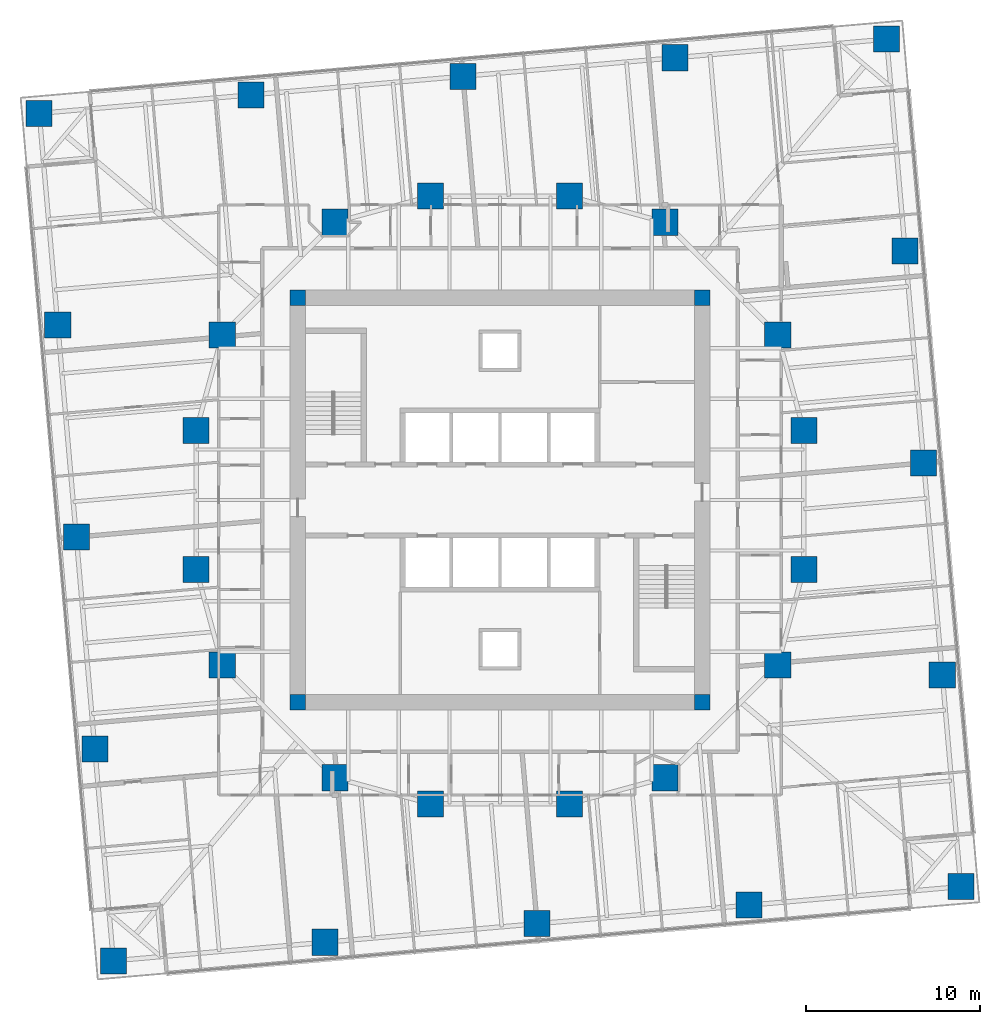
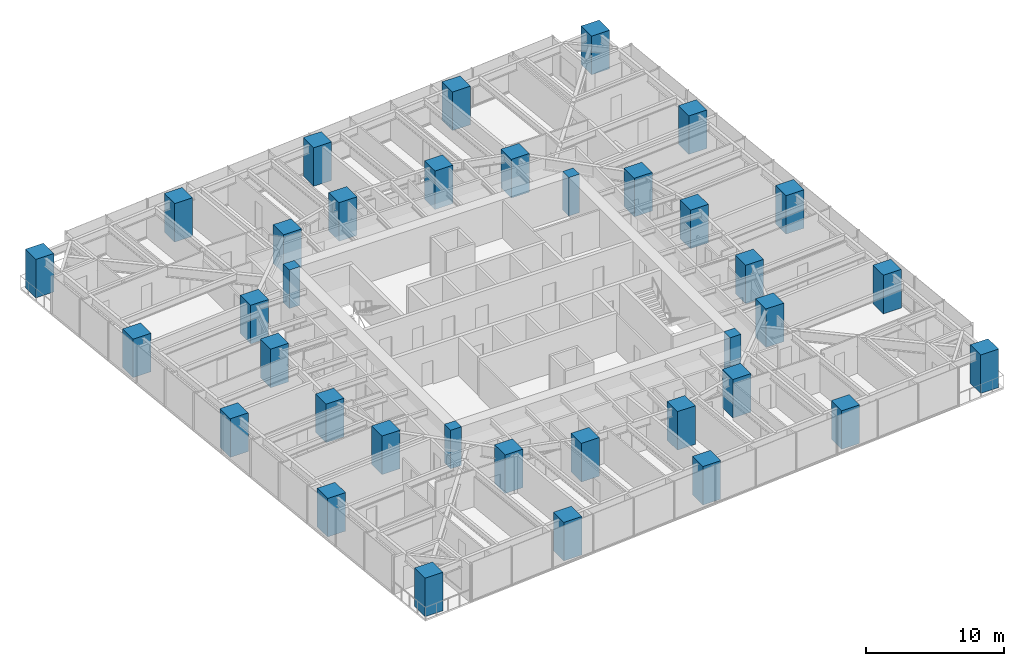
# One storey, part 1 of 14: 36 columns.
"""IFC4 building model written with IfcOpenShell, lengths in metres."""

from ifc_helpers import new_model, si_unit, direction, frame, origin, origin_2d, place, context, subcontext, project, spatial, rectangle, extrude, material, material_profile, profile_set, type_object, element, save


model = new_model("IFC4")

# Units and contexts
model_context = context("Model", 3, precision=1e-05, world=origin(), true_north=direction((0.0, 1.0)))
body_context = subcontext(model_context, "Body", "Model", "MODEL_VIEW")
ifc_project = project(units=[si_unit("LENGTHUNIT", "METRE"), si_unit("AREAUNIT", "SQUARE_METRE"), si_unit("VOLUMEUNIT", "CUBIC_METRE"), si_unit("PLANEANGLEUNIT", "RADIAN"), si_unit("MASSUNIT", "GRAM", prefix="KILO")], contexts=[model_context])

# Site, building, storey
site_placement = place(None, origin())
site = spatial("IfcSite", under=ifc_project, at=site_placement, CompositionType="ELEMENT")
building_placement = place(site_placement, origin())
building = spatial("IfcBuilding", under=site, at=building_placement, Name="Torsade Residences", CompositionType="ELEMENT")
storey_placement = place(building_placement, frame((0.0, 0.0, 57.39990234375)))
storey = spatial("IfcBuildingStorey", under=building, at=storey_placement, Name="L15", CompositionType="ELEMENT", Elevation=57.39990234375)

# Columns
ifc_material_1 = material(Name="Concrete 80 MPa", Category="concrete")
ifc_material_profile_1 = material_profile(ifc_material_1, rectangle(XDim=0.89990234375, YDim=0.89990234375, at=origin_2d()), Name="RC 900x900")
ifc_profile_set_1 = profile_set([ifc_material_profile_1], Name="Concrete 80 MPa")
column_type_1 = type_object("IfcColumnType", Name="CORE CORNER COLUMN RC 900x900", PredefinedType="COLUMN", material=ifc_profile_set_1)
for number, where, z_axis, x_axis, name in (
    (1, (28.35009765625, 18.35009765625, 0.0), (0.0, 0.0, 1.0), (1.0, 0.0, 0.0), "Core corner column CC1 L15"),
    (2, (51.64990234375, 18.35009765625, 0.0), (0.0, 0.0, 1.0), (1.0, 0.0, 0.0), "Core corner column CC2 L15"),
    (3, (51.64990234375, 41.64990234375, 0.0), (0.0, 0.0, 1.0), (1.0, 0.0, 0.0), "Core corner column CC3 L15"),
    (4, (28.35009765625, 41.64990234375, 0.0), (0.0, 0.0, 1.0), (1.0, 0.0, 0.0), "Core corner column CC4 L15"),
):
    element("IfcColumn", number, at=place(storey_placement, frame(where, z_axis=z_axis, x_axis=x_axis)), inside=storey, type_object=column_type_1, Name=name, PredefinedType="COLUMN", context=body_context, shape_type="SweptSolid", body=[
        extrude(rectangle(XDim=0.89990234375, YDim=0.89990234375, at=origin_2d()), origin(), (0.0, 0.0, 1.0), 3.400146484375),
    ])
ifc_material_2 = material(Name="Concrete 80 MPa", Category="concrete")
ifc_material_profile_2 = material_profile(ifc_material_2, rectangle(XDim=1.5, YDim=1.5, at=origin_2d()), Name="RC 1500x1500")
ifc_profile_set_2 = profile_set([ifc_material_profile_2], Name="Concrete 80 MPa")
column_type_2 = type_object("IfcColumnType", Name="INNER RING COLUMN RC 1500x1500", PredefinedType="COLUMN", material=ifc_profile_set_2)
for number, where, z_axis, x_axis, name in (
    (5, (57.5, 26.0, 0.0), (0.0, 0.0, 1.0), (1.0, 0.0, 0.0), "Inner ring column IR01 L15"),
    (6, (57.5, 34.0, 0.0), (0.0, 0.0, 1.0), (1.0, 0.0, 0.0), "Inner ring column IR02 L15"),
    (7, (56.0, 39.5, 0.0), (0.0, 0.0, 1.0), (1.0, 0.0, 0.0), "Inner ring column IR03 L15"),
    (8, (49.5, 46.0, 0.0), (0.0, 0.0, 1.0), (1.0, 0.0, 0.0), "Inner ring column IR04 L15"),
    (9, (44.0, 47.5, 0.0), (0.0, 0.0, 1.0), (1.0, 0.0, 0.0), "Inner ring column IR05 L15"),
    (10, (36.0, 47.5, 0.0), (0.0, 0.0, 1.0), (1.0, 0.0, 0.0), "Inner ring column IR06 L15"),
    (11, (30.5, 46.0, 0.0), (0.0, 0.0, 1.0), (1.0, 0.0, 0.0), "Inner ring column IR07 L15"),
    (12, (24.0, 39.5, 0.0), (0.0, 0.0, 1.0), (1.0, 0.0, 0.0), "Inner ring column IR08 L15"),
    (13, (22.5, 34.0, 0.0), (0.0, 0.0, 1.0), (1.0, 0.0, 0.0), "Inner ring column IR09 L15"),
    (14, (22.5, 26.0, 0.0), (0.0, 0.0, 1.0), (1.0, 0.0, 0.0), "Inner ring column IR10 L15"),
    (15, (24.0, 20.5, 0.0), (0.0, 0.0, 1.0), (1.0, 0.0, 0.0), "Inner ring column IR11 L15"),
    (16, (30.5, 14.0, 0.0), (0.0, 0.0, 1.0), (1.0, 0.0, 0.0), "Inner ring column IR12 L15"),
    (17, (36.0, 12.5, 0.0), (0.0, 0.0, 1.0), (1.0, 0.0, 0.0), "Inner ring column IR13 L15"),
    (18, (44.0, 12.5, 0.0), (0.0, 0.0, 1.0), (1.0, 0.0, 0.0), "Inner ring column IR14 L15"),
    (19, (49.5, 14.0, 0.0), (0.0, 0.0, 1.0), (1.0, 0.0, 0.0), "Inner ring column IR15 L15"),
    (20, (56.0, 20.5, 0.0), (0.0, 0.0, 1.0), (1.0, 0.0, 0.0), "Inner ring column IR16 L15"),
):
    element("IfcColumn", number, at=place(storey_placement, frame(where, z_axis=z_axis, x_axis=x_axis)), inside=storey, type_object=column_type_2, Name=name, PredefinedType="COLUMN", context=body_context, shape_type="SweptSolid", body=[
        extrude(rectangle(XDim=1.5, YDim=1.5, at=origin_2d()), origin(), (0.0, 0.0, 1.0), 3.400146484375),
    ])
ifc_material_3 = material(Name="Concrete 80 MPa", Category="concrete")
ifc_material_profile_3 = material_profile(ifc_material_3, rectangle(XDim=1.5, YDim=1.5, at=origin_2d()), Name="RC 1500x1500")
ifc_profile_set_3 = profile_set([ifc_material_profile_3], Name="Concrete 80 MPa")
column_type_3 = type_object("IfcColumnType", Name="TOWER COLUMN RC 1500x1500", PredefinedType="COLUMN", material=ifc_profile_set_3)
for number, where, z_axis, x_axis, name in (
    (21, (17.728515625, 3.4580078125, 0.0), (0.0, 0.0, 1.0), (1.0, 0.0, 0.0), "Column TC2-01 L15"),
    (22, (29.931884765625, 4.525634765625, 0.0), (0.0, 0.0, 1.0), (1.0, 0.0, 0.0), "Column TC2-02 L15"),
    (23, (42.13525390625, 5.59326171875, 0.0), (0.0, 0.0, 1.0), (1.0, 0.0, 0.0), "Column TC2-03 L15"),
    (24, (54.338623046875, 6.660888671875, 0.0), (0.0, 0.0, 1.0), (1.0, 0.0, 0.0), "Column TC2-04 L15"),
    (25, (66.5419921875, 7.728515625, 0.0), (0.0, 0.0, 1.0), (1.0, 0.0, 0.0), "Column TC2-05 L15"),
    (26, (65.474365234375, 19.931884765625, 0.0), (0.0, 0.0, 1.0), (1.0, 0.0, 0.0), "Column TC2-06 L15"),
    (27, (64.40673828125, 32.13525390625, 0.0), (0.0, 0.0, 1.0), (1.0, 0.0, 0.0), "Column TC2-07 L15"),
    (28, (63.339111328125, 44.338623046875, 0.0), (0.0, 0.0, 1.0), (1.0, 0.0, 0.0), "Column TC2-08 L15"),
    (29, (62.271484375, 56.5419921875, 0.0), (0.0, 0.0, 1.0), (1.0, 0.0, 0.0), "Column TC2-09 L15"),
    (30, (50.068115234375, 55.474365234375, 0.0), (0.0, 0.0, 1.0), (1.0, 0.0, 0.0), "Column TC2-10 L15"),
    (31, (37.86474609375, 54.40673828125, 0.0), (0.0, 0.0, 1.0), (1.0, 0.0, 0.0), "Column TC2-11 L15"),
    (32, (25.661376953125, 53.339111328125, 0.0), (0.0, 0.0, 1.0), (1.0, 0.0, 0.0), "Column TC2-12 L15"),
    (33, (13.4580078125, 52.271484375, 0.0), (0.0, 0.0, 1.0), (1.0, 0.0, 0.0), "Column TC2-13 L15"),
    (34, (14.525634765625, 40.068115234375, 0.0), (0.0, 0.0, 1.0), (1.0, 0.0, 0.0), "Column TC2-14 L15"),
    (35, (15.59326171875, 27.86474609375, 0.0), (0.0, 0.0, 1.0), (1.0, 0.0, 0.0), "Column TC2-15 L15"),
    (36, (16.660888671875, 15.661376953125, 0.0), (0.0, 0.0, 1.0), (1.0, 0.0, 0.0), "Column TC2-16 L15"),
):
    element("IfcColumn", number, at=place(storey_placement, frame(where, z_axis=z_axis, x_axis=x_axis)), inside=storey, type_object=column_type_3, Name=name, PredefinedType="COLUMN", context=body_context, shape_type="SweptSolid", body=[
        extrude(rectangle(XDim=1.5, YDim=1.5, at=origin_2d()), origin(), (0.0, 0.0, 1.0), 3.400146484375),
    ])

save(model, "model.ifc")
